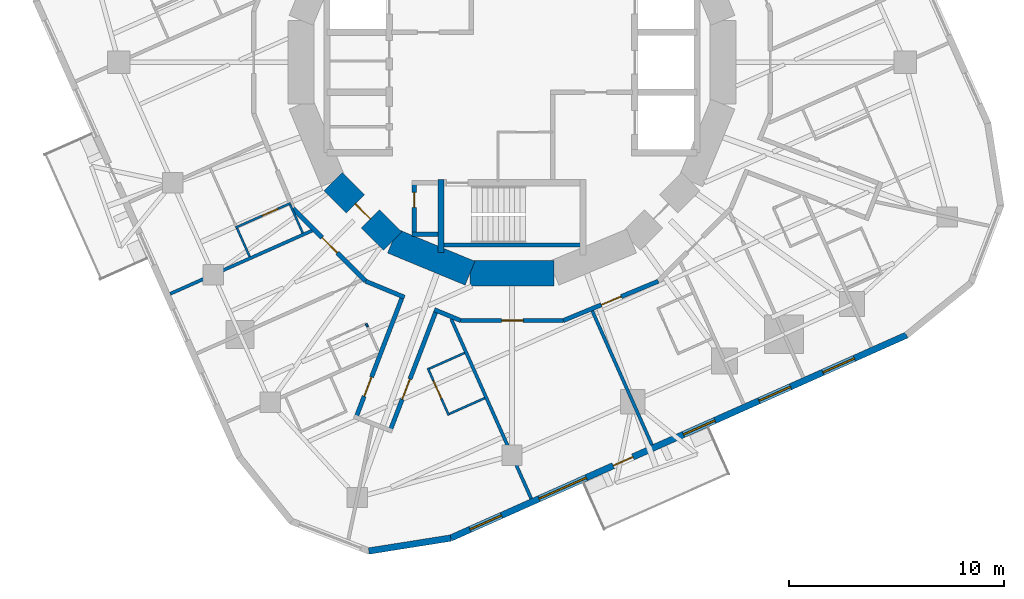
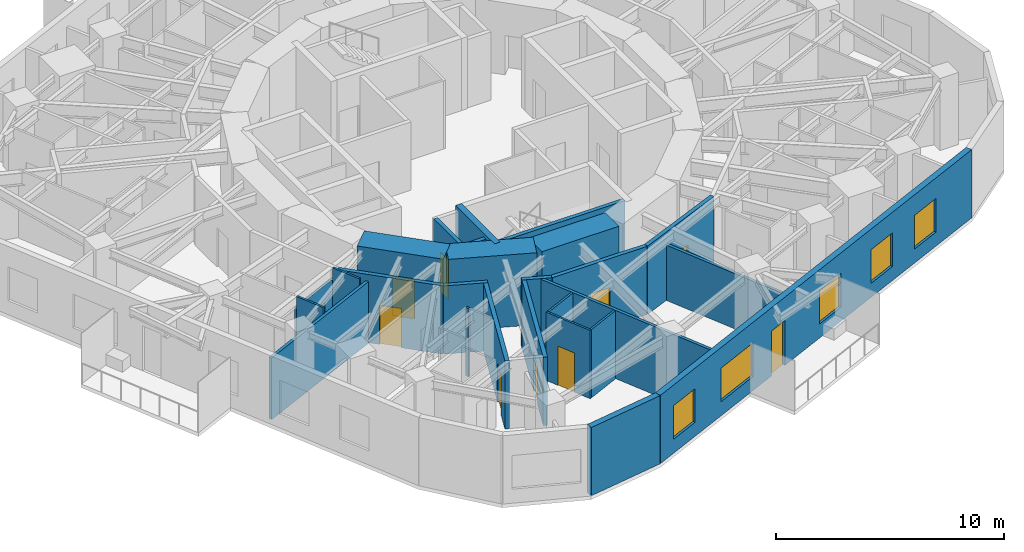
# One storey, part 5 of 12: 26 walls, 10 doors, 5 windows, 15 openings.
"""IFC4 building model written with IfcOpenShell, lengths in metres."""

from ifc_helpers import new_model, si_unit, direction, frame, frame_2d, origin, place, context, subcontext, project, spatial, rectangle, extrude, material, layer, layer_set, type_object, element, fill, save


model = new_model("IFC4")

# Units and contexts
model_context = context("Model", 3, precision=1e-05, world=origin(), true_north=direction((0.0, 1.0)))
body_context = subcontext(model_context, "Body", "Model", "MODEL_VIEW")
ifc_project = project(units=[si_unit("LENGTHUNIT", "METRE"), si_unit("AREAUNIT", "SQUARE_METRE"), si_unit("VOLUMEUNIT", "CUBIC_METRE"), si_unit("PLANEANGLEUNIT", "RADIAN"), si_unit("MASSUNIT", "GRAM", prefix="KILO")], contexts=[model_context])

# Site, building, storey
site_placement = place(None, origin())
site = spatial("IfcSite", under=ifc_project, at=site_placement, CompositionType="ELEMENT")
building_placement = place(site_placement, origin())
building = spatial("IfcBuilding", under=site, at=building_placement, Name="Nakasero Lantern House", CompositionType="ELEMENT")
storey_placement = place(building_placement, frame((0.0, 0.0, 190.14990234375)))
storey = spatial("IfcBuildingStorey", under=building, at=storey_placement, Name="L46", CompositionType="ELEMENT", Elevation=190.14990234375)

# Wall
ifc_material_1 = material(Name="Concrete C50/60", Category="concrete")
ifc_layer_1 = layer(ifc_material_1, 0.300048828125)
ifc_layer_set_1 = layer_set([ifc_layer_1], Name="Core inner wall 300")
wall_type_1 = type_object("IfcWallType", Name="Core inner wall 300", PredefinedType="SHEAR", material=ifc_layer_set_1)
wall_1_placement = place(storey_placement, frame((-3.300048828125, -5.449951171875, 0.0), z_axis=(0.0, 0.0, 1.0), x_axis=(0.0, -1.0, 0.0)))
element("IfcWall", 1, at=wall_1_placement, inside=storey, type_object=wall_type_1, Name="Core inner wall L46 SSW", PredefinedType="SHEAR", context=body_context, shape_type="SweptSolid", body=[
    extrude(rectangle(XDim=3.400146484375, YDim=0.300048828125, at=frame_2d((1.7001953125, 0.0))), origin(), (0.0, 0.0, 1.0), 3.85009765625),
])

# Wall, opening, door
ifc_material_2 = material(Name="Concrete C50/60", Category="concrete")
ifc_layer_2 = layer(ifc_material_2, 1.199951171875)
ifc_layer_set_2 = layer_set([ifc_layer_2], Name="Core wall 1200")
wall_type_2 = type_object("IfcWallType", Name="Core wall 1200", PredefinedType="SHEAR", material=ifc_layer_set_2)
wall_2_placement = place(storey_placement, frame((-8.314697265625, -5.5556640625, 0.0), z_axis=(0.0, 0.0, 1.0), x_axis=(0.707106781187, -0.707106781187, 0.0)))
wall_2 = element("IfcWall", 2, at=wall_2_placement, inside=storey, type_object=wall_type_2, Name="Core wall L46 facet 10", PredefinedType="SHEAR", context=body_context, shape_type="SweptSolid", body=[
    extrude(rectangle(XDim=3.90185546875, YDim=1.199951171875, at=frame_2d((1.950927734375, 0.0))), origin(), (0.0, 0.0, 1.0), 3.85009765625),
])
opening_1_placement = place(wall_2_placement, frame((1.450927734375, 0.0, 0.0)))
opening_1 = element("IfcOpeningElement", 3, at=opening_1_placement, cuts=wall_2, Name="Opening D05", PredefinedType="OPENING", context=body_context, shape_type="SweptSolid", body=[
    extrude(rectangle(XDim=1.0, YDim=2.10009765625, at=frame_2d((0.5, 1.050048828125))), frame((0.0, 0.619873046875, 0.0), z_axis=(0.0, -1.0, 0.0), x_axis=(1.0, 0.0, 0.0)), (0.0, 0.0, 1.0), 1.239990234375),
])
ifc_material_3 = material(Name="Timber C24", Category="wood")
door_type_1 = type_object("IfcDoorType", Name="Core door FD60S 1000", OperationType="SINGLE_SWING_LEFT", PredefinedType="DOOR", material=ifc_material_3)
door_1_placement = place(opening_1_placement, origin())
door_1 = element("IfcDoor", 4, at=door_1_placement, inside=storey, type_object=door_type_1, Name="Door L46 D-CORE10", OperationType="SINGLE_SWING_LEFT", OverallHeight=2.10009765625, OverallWidth=1.0, PredefinedType="DOOR", context=body_context, shape_type="SweptSolid", body=[
    extrude(rectangle(XDim=1.0, YDim=2.10009765625, at=frame_2d((0.5, 1.050048828125))), frame((0.0, 0.02490234375, 0.0), z_axis=(0.0, -1.0, 0.0), x_axis=(1.0, 0.0, 0.0)), (0.0, 0.0, 1.0), 0.050048828125),
])
fill(opening_1, door_1)

# Walls
for number, where, z_axis, x_axis, name in (
    (5, (-5.5556640625, -8.314697265625, 0.0), (0.0, 0.0, 1.0), (0.923876507187, -0.382690736062, 0.0), "Core wall L46 facet 11"),
    (6, (-1.950927734375, -9.807861328125, 0.0), (0.0, 0.0, 1.0), (1.0, 0.0, 0.0), "Core wall L46 facet 12"),
):
    element("IfcWall", number, at=place(storey_placement, frame(where, z_axis=z_axis, x_axis=x_axis)), inside=storey, type_object=wall_type_2, Name=name, PredefinedType="SHEAR", context=body_context, shape_type="SweptSolid", body=[
        extrude(rectangle(XDim=3.90185546875, YDim=1.199951171875, at=frame_2d((1.950927734375, 0.0))), origin(), (0.0, 0.0, 1.0), 3.85009765625),
    ])

# Wall, opening, door
ifc_material_4 = material(Name="Blockwork", Category="masonry")
ifc_layer_3 = layer(ifc_material_4, 0.199951171875)
ifc_layer_set_3 = layer_set([ifc_layer_3], Name="Corridor wall 200")
wall_type_3 = type_object("IfcWallType", Name="Corridor wall 200", PredefinedType="PARTITIONING", material=ifc_layer_set_3)
wall_3_placement = place(storey_placement, frame((6.802001953125, -10.1796875, 0.0), z_axis=(0.0, 0.0, 1.0), x_axis=(-0.923882292998, -0.382676767893, 0.0)))
wall_3 = element("IfcWall", 7, at=wall_3_placement, inside=storey, type_object=wall_type_3, Name="Corridor wall L46 RC03a", PredefinedType="PARTITIONING", context=body_context, shape_type="SweptSolid", body=[
    extrude(rectangle(XDim=4.777099609375, YDim=0.199951171875, at=frame_2d((2.388671875, 0.0))), origin(), (0.0, 0.0, 1.0), 3.650146484375),
])
opening_2_placement = place(wall_3_placement, frame((1.8701171875, 0.0, 0.0)))
opening_2 = element("IfcOpeningElement", 8, at=opening_2_placement, cuts=wall_3, Name="Opening D07", PredefinedType="OPENING", context=body_context, shape_type="SweptSolid", body=[
    extrude(rectangle(XDim=1.0, YDim=2.10009765625, at=frame_2d((0.5, 1.050048828125))), frame((0.0, 0.119873046875, 0.0), z_axis=(0.0, -1.0, 0.0), x_axis=(1.0, 0.0, 0.0)), (0.0, 0.0, 1.0), 0.239990234375),
])
ifc_material_5 = material(Name="Timber C24", Category="wood")
door_type_2 = type_object("IfcDoorType", Name="Room door FD30S 1000", OperationType="SINGLE_SWING_LEFT", PredefinedType="DOOR", material=ifc_material_5)
door_2_placement = place(opening_2_placement, origin())
door_2 = element("IfcDoor", 9, at=door_2_placement, inside=storey, type_object=door_type_2, Name="Door L46 D3-03", OperationType="SINGLE_SWING_LEFT", OverallHeight=2.10009765625, OverallWidth=1.0, PredefinedType="DOOR", context=body_context, shape_type="SweptSolid", body=[
    extrude(rectangle(XDim=1.0, YDim=2.10009765625, at=frame_2d((0.5, 1.050048828125))), frame((0.0, 0.02490234375, 0.0), z_axis=(0.0, -1.0, 0.0), x_axis=(1.0, 0.0, 0.0)), (0.0, 0.0, 1.0), 0.050048828125),
])
fill(opening_2, door_2)

wall_4_placement = place(storey_placement, frame((2.388427734375, -12.0078125, 0.0), z_axis=(0.0, 0.0, 1.0), x_axis=(-1.0, 0.0, 0.0)))
wall_4 = element("IfcWall", 10, at=wall_4_placement, inside=storey, type_object=wall_type_3, Name="Corridor wall L46 RC04a", PredefinedType="PARTITIONING", context=body_context, shape_type="SweptSolid", body=[
    extrude(rectangle(XDim=4.77685546875, YDim=0.199951171875, at=frame_2d((2.388427734375, 0.0))), origin(), (0.0, 0.0, 1.0), 3.650146484375),
])
opening_3_placement = place(wall_4_placement, frame((1.8701171875, 0.0, 0.0)))
opening_3 = element("IfcOpeningElement", 11, at=opening_3_placement, cuts=wall_4, Name="Opening D03", PredefinedType="OPENING", context=body_context, shape_type="SweptSolid", body=[
    extrude(rectangle(XDim=1.0, YDim=2.10009765625, at=frame_2d((0.5, 1.050048828125))), frame((0.0, 0.119873046875, 0.0), z_axis=(0.0, -1.0, 0.0), x_axis=(1.0, 0.0, 0.0)), (0.0, 0.0, 1.0), 0.239990234375),
])
ifc_material_6 = material(Name="Timber C24", Category="wood")
door_type_3 = type_object("IfcDoorType", Name="Lounge door FD30S 1000", OperationType="SINGLE_SWING_LEFT", PredefinedType="DOOR", material=ifc_material_6)
door_3_placement = place(opening_3_placement, origin())
door_3 = element("IfcDoor", 12, at=door_3_placement, inside=storey, type_object=door_type_3, Name="Door L46 DK3", OperationType="SINGLE_SWING_LEFT", OverallHeight=2.10009765625, OverallWidth=1.0, PredefinedType="DOOR", context=body_context, shape_type="SweptSolid", body=[
    extrude(rectangle(XDim=1.0, YDim=2.10009765625, at=frame_2d((0.5, 1.050048828125))), frame((0.0, 0.02490234375, 0.0), z_axis=(0.0, -1.0, 0.0), x_axis=(1.0, 0.0, 0.0)), (0.0, 0.0, 1.0), 0.050048828125),
])
fill(opening_3, door_3)

# Walls
wall_5_placement = place(storey_placement, frame((-2.388427734375, -12.0078125, 0.0), z_axis=(0.0, 0.0, 1.0), x_axis=(-0.923893220228, 0.382650385623, 0.0)))
element("IfcWall", 13, at=wall_5_placement, inside=storey, type_object=wall_type_3, Name="Corridor wall L46 RC05a", PredefinedType="PARTITIONING", context=body_context, shape_type="SweptSolid", body=[
    extrude(rectangle(XDim=1.323974609375, YDim=0.199951171875, at=frame_2d((0.662109375, 0.0))), origin(), (0.0, 0.0, 1.0), 3.650146484375),
])
wall_6_placement = place(storey_placement, frame((-4.997802734375, -10.927001953125, 0.0), z_axis=(0.0, 0.0, 1.0), x_axis=(-0.923881222106, 0.382679353297, 0.0)))
element("IfcWall", 14, at=wall_6_placement, inside=storey, type_object=wall_type_3, Name="Corridor wall L46 RC05b", PredefinedType="PARTITIONING", context=body_context, shape_type="SweptSolid", body=[
    extrude(rectangle(XDim=1.952880859375, YDim=0.199951171875, at=frame_2d((0.9765625, 0.0))), origin(), (0.0, 0.0, 1.0), 3.650146484375),
])

# Wall, opening, door
wall_7_placement = place(storey_placement, frame((-6.802001953125, -10.1796875, 0.0), z_axis=(0.0, 0.0, 1.0), x_axis=(-0.707106781187, 0.707106781187, 0.0)))
wall_7 = element("IfcWall", 15, at=wall_7_placement, inside=storey, type_object=wall_type_3, Name="Corridor wall L46 RC06a", PredefinedType="PARTITIONING", context=body_context, shape_type="SweptSolid", body=[
    extrude(rectangle(XDim=4.77685546875, YDim=0.199951171875, at=frame_2d((2.388427734375, 0.0))), origin(), (0.0, 0.0, 1.0), 3.650146484375),
])
opening_4_placement = place(wall_7_placement, frame((1.8701171875, 0.0, 0.0)))
opening_4 = element("IfcOpeningElement", 16, at=opening_4_placement, cuts=wall_7, Name="Opening D14", PredefinedType="OPENING", context=body_context, shape_type="SweptSolid", body=[
    extrude(rectangle(XDim=1.0, YDim=2.10009765625, at=frame_2d((0.5, 1.050048828125))), frame((0.0, 0.119873046875, 0.0), z_axis=(0.0, -1.0, 0.0), x_axis=(1.0, 0.0, 0.0)), (0.0, 0.0, 1.0), 0.239990234375),
])
ifc_material_7 = material(Name="Timber C24", Category="wood")
door_type_4 = type_object("IfcDoorType", Name="Cluster entrance door FD30S 1000", OperationType="SINGLE_SWING_LEFT", PredefinedType="DOOR", material=ifc_material_7)
door_4_placement = place(opening_4_placement, origin())
door_4 = element("IfcDoor", 17, at=door_4_placement, inside=storey, type_object=door_type_4, Name="Door L46 D2-04", OperationType="SINGLE_SWING_LEFT", OverallHeight=2.10009765625, OverallWidth=1.0, PredefinedType="DOOR", context=body_context, shape_type="SweptSolid", body=[
    extrude(rectangle(XDim=1.0, YDim=2.10009765625, at=frame_2d((0.5, 1.050048828125))), frame((0.0, 0.02490234375, 0.0), z_axis=(0.0, -1.0, 0.0), x_axis=(1.0, 0.0, 0.0)), (0.0, 0.0, 1.0), 0.050048828125),
])
fill(opening_4, door_4)

wall_8_placement = place(storey_placement, frame((-5.09033203125, -10.888671875, 0.0), z_axis=(0.0, 0.0, 1.0), x_axis=(-0.35835059057, -0.933587089798, 0.0)))
wall_8 = element("IfcWall", 18, at=wall_8_placement, inside=storey, type_object=wall_type_3, Name="Corridor wall L46 SP2a", PredefinedType="PARTITIONING", context=body_context, shape_type="SweptSolid", body=[
    extrude(rectangle(XDim=6.117919921875, YDim=0.199951171875, at=frame_2d((3.05908203125, 0.0))), origin(), (0.0, 0.0, 1.0), 3.650146484375),
])
opening_5_placement = place(wall_8_placement, frame((4.02001953125, 0.0, 0.0)))
opening_5 = element("IfcOpeningElement", 19, at=opening_5_placement, cuts=wall_8, Name="Opening D01", PredefinedType="OPENING", context=body_context, shape_type="SweptSolid", body=[
    extrude(rectangle(XDim=0.949951171875, YDim=2.10009765625, at=frame_2d((0.47509765625, 1.050048828125))), frame((0.0, 0.119873046875, 0.0), z_axis=(0.0, -1.0, 0.0), x_axis=(1.0, 0.0, 0.0)), (0.0, 0.0, 1.0), 0.239990234375),
])
ifc_material_8 = material(Name="Timber C24", Category="wood")
door_type_5 = type_object("IfcDoorType", Name="Bedroom door FD30S 950", OperationType="SINGLE_SWING_LEFT", PredefinedType="DOOR", material=ifc_material_8)
door_5_placement = place(opening_5_placement, origin())
door_5 = element("IfcDoor", 20, at=door_5_placement, inside=storey, type_object=door_type_5, Name="Door L46 D2-06", OperationType="SINGLE_SWING_RIGHT", OverallHeight=2.10009765625, OverallWidth=0.949951171875, PredefinedType="DOOR", context=body_context, shape_type="SweptSolid", body=[
    extrude(rectangle(XDim=0.949951171875, YDim=2.10009765625, at=frame_2d((0.47509765625, 1.050048828125))), frame((0.0, 0.02490234375, 0.0), z_axis=(0.0, -1.0, 0.0), x_axis=(1.0, 0.0, 0.0)), (0.0, 0.0, 1.0), 0.050048828125),
])
fill(opening_5, door_5)

wall_9_placement = place(storey_placement, frame((-3.51904296875, -11.53955078125, 0.0), z_axis=(0.0, 0.0, 1.0), x_axis=(-0.358394497993, -0.93357023507, 0.0)))
wall_9 = element("IfcWall", 21, at=wall_9_placement, inside=storey, type_object=wall_type_3, Name="Corridor wall L46 SP2b", PredefinedType="PARTITIONING", context=body_context, shape_type="SweptSolid", body=[
    extrude(rectangle(XDim=6.07373046875, YDim=0.199951171875, at=frame_2d((3.036865234375, 0.0))), origin(), (0.0, 0.0, 1.0), 3.650146484375),
])
opening_6_placement = place(wall_9_placement, frame((3.419921875, 0.0, 0.0)))
opening_6 = element("IfcOpeningElement", 22, at=opening_6_placement, cuts=wall_9, Name="Opening D07", PredefinedType="OPENING", context=body_context, shape_type="SweptSolid", body=[
    extrude(rectangle(XDim=1.0, YDim=2.10009765625, at=frame_2d((0.5, 1.050048828125))), frame((0.0, 0.119873046875, 0.0), z_axis=(0.0, -1.0, 0.0), x_axis=(1.0, 0.0, 0.0)), (0.0, 0.0, 1.0), 0.239990234375),
])
door_6_placement = place(opening_6_placement, origin())
door_6 = element("IfcDoor", 23, at=door_6_placement, inside=storey, type_object=door_type_2, Name="Door L46 D3-00", OperationType="SINGLE_SWING_RIGHT", OverallHeight=2.10009765625, OverallWidth=1.0, PredefinedType="DOOR", context=body_context, shape_type="SweptSolid", body=[
    extrude(rectangle(XDim=1.0, YDim=2.10009765625, at=frame_2d((0.5, 1.050048828125))), frame((0.0, 0.02490234375, 0.0), z_axis=(0.0, -1.0, 0.0), x_axis=(1.0, 0.0, 0.0)), (0.0, 0.0, 1.0), 0.050048828125),
])
fill(opening_6, door_6)

ifc_material_9 = material(Name="Blockwork", Category="masonry")
ifc_layer_4 = layer(ifc_material_9, 0.10009765625)
ifc_layer_set_4 = layer_set([ifc_layer_4], Name="En-suite wall 100")
wall_type_4 = type_object("IfcWallType", Name="En-suite wall 100", PredefinedType="PARTITIONING", material=ifc_layer_set_4)
wall_10_placement = place(storey_placement, frame((-10.29248046875, -6.550048828125, 0.0), z_axis=(0.0, 0.0, 1.0), x_axis=(-0.913534471978, -0.406761316386, 0.0)))
wall_10 = element("IfcWall", 24, at=wall_10_placement, inside=storey, type_object=wall_type_4, Name="En-suite wall L46 ES2-03", PredefinedType="PARTITIONING", context=body_context, shape_type="SweptSolid", body=[
    extrude(rectangle(XDim=2.800048828125, YDim=0.10009765625, at=frame_2d((1.39990234375, 0.0))), origin(), (0.0, 0.0, 1.0), 3.037841796875),
])
opening_7_placement = place(wall_10_placement, frame((0.64990234375, 0.0, 0.0)))
opening_7 = element("IfcOpeningElement", 25, at=opening_7_placement, cuts=wall_10, Name="Opening D02", PredefinedType="OPENING", context=body_context, shape_type="SweptSolid", body=[
    extrude(rectangle(XDim=0.800048828125, YDim=2.10009765625, at=frame_2d((0.39990234375, 1.050048828125))), frame((0.0, 0.070068359375, 0.0), z_axis=(0.0, -1.0, 0.0), x_axis=(1.0, 0.0, 0.0)), (0.0, 0.0, 1.0), 0.14013671875),
])
ifc_material_10 = material(Name="Timber C24", Category="wood")
door_type_6 = type_object("IfcDoorType", Name="En-suite door 800", OperationType="SINGLE_SWING_RIGHT", PredefinedType="DOOR", material=ifc_material_10)
door_7_placement = place(opening_7_placement, origin())
door_7 = element("IfcDoor", 26, at=door_7_placement, inside=storey, type_object=door_type_6, Name="Door L46 DE2-03", OperationType="SINGLE_SWING_LEFT", OverallHeight=2.10009765625, OverallWidth=0.800048828125, PredefinedType="DOOR", context=body_context, shape_type="SweptSolid", body=[
    extrude(rectangle(XDim=0.800048828125, YDim=2.10009765625, at=frame_2d((0.39990234375, 1.050048828125))), frame((0.0, 0.02490234375, 0.0), z_axis=(0.0, -1.0, 0.0), x_axis=(1.0, 0.0, 0.0)), (0.0, 0.0, 1.0), 0.050048828125),
])
fill(opening_7, door_7)

# Walls
wall_11_placement = place(storey_placement, frame((-12.784423828125, -7.71435546875, 0.0), z_axis=(0.0, 0.0, 1.0), x_axis=(0.40682579145, -0.913505761017, 0.0)))
element("IfcWall", 27, at=wall_11_placement, inside=storey, type_object=wall_type_4, Name="En-suite wall L46 EE2-03", PredefinedType="PARTITIONING", context=body_context, shape_type="SweptSolid", body=[
    extrude(rectangle(XDim=1.449951171875, YDim=0.10009765625, at=frame_2d((0.72509765625, 0.0))), origin(), (0.0, 0.0, 1.0), 3.650146484375),
])
wall_12_placement = place(storey_placement, frame((-10.31787109375, -6.615966796875, 0.0), z_axis=(0.0, 0.0, 1.0), x_axis=(0.406763220732, -0.913533624044, 0.0)))
element("IfcWall", 28, at=wall_12_placement, inside=storey, type_object=wall_type_4, Name="En-suite wall L46 EI2-03", PredefinedType="PARTITIONING", context=body_context, shape_type="SweptSolid", body=[
    extrude(rectangle(XDim=1.4501953125, YDim=0.10009765625, at=frame_2d((0.72509765625, 0.0))), origin(), (0.0, 0.0, 1.0), 3.650146484375),
])

# Wall, opening, door
wall_13_placement = place(storey_placement, frame((-3.914306640625, -14.2216796875, 0.0), z_axis=(0.0, 0.0, 1.0), x_axis=(0.406723602621, -0.913551263516, 0.0)))
wall_13 = element("IfcWall", 29, at=wall_13_placement, inside=storey, type_object=wall_type_4, Name="En-suite wall L46 ES3-00", PredefinedType="PARTITIONING", context=body_context, shape_type="SweptSolid", body=[
    extrude(rectangle(XDim=2.39990234375, YDim=0.10009765625, at=frame_2d((1.199951171875, 0.0))), origin(), (0.0, 0.0, 1.0), 3.650146484375),
])
opening_8_placement = place(wall_13_placement, frame((0.64990234375, 0.0, 0.0)))
opening_8 = element("IfcOpeningElement", 30, at=opening_8_placement, cuts=wall_13, Name="Opening D16", PredefinedType="OPENING", context=body_context, shape_type="SweptSolid", body=[
    extrude(rectangle(XDim=0.89990234375, YDim=2.10009765625, at=frame_2d((0.449951171875, 1.050048828125))), frame((0.0, 0.070068359375, 0.0), z_axis=(0.0, -1.0, 0.0), x_axis=(1.0, 0.0, 0.0)), (0.0, 0.0, 1.0), 0.14013671875),
])
ifc_material_11 = material(Name="Timber C24", Category="wood")
door_type_7 = type_object("IfcDoorType", Name="Accessible WC door 900", OperationType="SINGLE_SWING_RIGHT", PredefinedType="DOOR", material=ifc_material_11)
door_8_placement = place(opening_8_placement, origin())
door_8 = element("IfcDoor", 31, at=door_8_placement, inside=storey, type_object=door_type_7, Name="Door L46 DE3-00", OperationType="SINGLE_SWING_LEFT", OverallHeight=2.10009765625, OverallWidth=0.89990234375, PredefinedType="DOOR", context=body_context, shape_type="SweptSolid", body=[
    extrude(rectangle(XDim=0.89990234375, YDim=2.10009765625, at=frame_2d((0.449951171875, 1.050048828125))), frame((0.0, 0.02490234375, 0.0), z_axis=(0.0, -1.0, 0.0), x_axis=(1.0, 0.0, 0.0)), (0.0, 0.0, 1.0), 0.050048828125),
])
fill(opening_8, door_8)

# Walls
wall_14_placement = place(storey_placement, frame((-2.912841796875, -16.34814453125, 0.0), z_axis=(0.0, 0.0, 1.0), x_axis=(0.913548502595, 0.406729803932, 0.0)))
element("IfcWall", 32, at=wall_14_placement, inside=storey, type_object=wall_type_4, Name="En-suite wall L46 EE3-00", PredefinedType="PARTITIONING", context=body_context, shape_type="SweptSolid", body=[
    extrude(rectangle(XDim=1.800048828125, YDim=0.10009765625, at=frame_2d((0.89990234375, 0.0))), origin(), (0.0, 0.0, 1.0), 3.650146484375),
])
wall_15_placement = place(storey_placement, frame((-3.84814453125, -14.246826171875, 0.0), z_axis=(0.0, 0.0, 1.0), x_axis=(0.913576462288, 0.406666998358, 0.0)))
element("IfcWall", 33, at=wall_15_placement, inside=storey, type_object=wall_type_4, Name="En-suite wall L46 EI3-00", PredefinedType="PARTITIONING", context=body_context, shape_type="SweptSolid", body=[
    extrude(rectangle(XDim=1.7998046875, YDim=0.10009765625, at=frame_2d((0.89990234375, 0.0))), origin(), (0.0, 0.0, 1.0), 3.650146484375),
])
wall_16_placement = place(storey_placement, frame((-6.78125, -12.153564453125, 0.0), z_axis=(0.0, 0.0, 1.0), x_axis=(0.407696311466, -0.913117581485, 0.0)))
element("IfcWall", 34, at=wall_16_placement, inside=storey, type_object=wall_type_4, Name="En-suite wall L46 ES2-05R0", PredefinedType="PARTITIONING", context=body_context, shape_type="SweptSolid", body=[
    extrude(rectangle(XDim=0.159912109375, YDim=0.10009765625, at=frame_2d((0.080078125, 0.0))), origin(), (0.0, 0.0, 1.0), 3.650146484375),
])
ifc_material_12 = material(Name="Aluminium rainscreen on blockwork", Category="masonry")
ifc_layer_5 = layer(ifc_material_12, 0.300048828125)
ifc_layer_set_5 = layer_set([ifc_layer_5], Name="Facade wall 300")
wall_type_5 = type_object("IfcWallType", Name="Facade wall 300", PredefinedType="SOLIDWALL", material=ifc_layer_set_5)
wall_17_placement = place(storey_placement, frame((-6.65771484375, -22.724365234375, 0.0), z_axis=(0.0, 0.0, 1.0), x_axis=(0.987687906802, 0.156437203878, 0.0)))
element("IfcWall", 35, at=wall_17_placement, inside=storey, type_object=wall_type_5, Name="Facade wall L46 FW2C3", PredefinedType="SOLIDWALL", context=body_context, shape_type="SweptSolid", body=[
    extrude(rectangle(XDim=3.856201171875, YDim=0.300048828125, at=frame_2d((1.92822265625, 0.0))), origin(), (0.0, 0.0, 1.0), 3.650146484375),
])

# Wall, openings, door, windows
wall_18_placement = place(storey_placement, frame((-2.848876953125, -22.12109375, 0.0), z_axis=(0.0, 0.0, 1.0), x_axis=(0.913546210851, 0.406734951338, 0.0)))
wall_18 = element("IfcWall", 36, at=wall_18_placement, inside=storey, type_object=wall_type_5, Name="Facade wall L46 FW3S", PredefinedType="SOLIDWALL", context=body_context, shape_type="SweptSolid", body=[
    extrude(rectangle(XDim=23.199951171875, YDim=0.300048828125, at=frame_2d((11.60009765625, 0.0))), origin(), (0.0, 0.0, 1.0), 3.650146484375),
])
opening_9_placement = place(wall_18_placement, frame((0.982421875, 0.0, 0.75)))
opening_9 = element("IfcOpeningElement", 37, at=opening_9_placement, cuts=wall_18, Name="Opening W01", PredefinedType="OPENING", context=body_context, shape_type="SweptSolid", body=[
    extrude(rectangle(XDim=1.60009765625, YDim=1.800048828125, at=frame_2d((0.800048828125, 0.89990234375))), frame((0.0, 0.169921875, 0.0), z_axis=(0.0, -1.0, 0.0), x_axis=(1.0, 0.0, 0.0)), (0.0, 0.0, 1.0), 0.340087890625),
])
opening_10_placement = place(wall_18_placement, frame((11.83984375, 0.0, 0.75)))
opening_10 = element("IfcOpeningElement", 38, at=opening_10_placement, cuts=wall_18, Name="Opening W01", PredefinedType="OPENING", context=body_context, shape_type="SweptSolid", body=[
    extrude(rectangle(XDim=1.60009765625, YDim=1.800048828125, at=frame_2d((0.800048828125, 0.89990234375))), frame((0.0, 0.169921875, 0.0), z_axis=(0.0, -1.0, 0.0), x_axis=(1.0, 0.0, 0.0)), (0.0, 0.0, 1.0), 0.340087890625),
])
opening_11_placement = place(wall_18_placement, frame((15.69140625, 0.0, 0.75)))
opening_11 = element("IfcOpeningElement", 39, at=opening_11_placement, cuts=wall_18, Name="Opening W01", PredefinedType="OPENING", context=body_context, shape_type="SweptSolid", body=[
    extrude(rectangle(XDim=1.60009765625, YDim=1.800048828125, at=frame_2d((0.800048828125, 0.89990234375))), frame((0.0, 0.169921875, 0.0), z_axis=(0.0, -1.0, 0.0), x_axis=(1.0, 0.0, 0.0)), (0.0, 0.0, 1.0), 0.340087890625),
])
opening_12_placement = place(wall_18_placement, frame((18.940185546875, 0.0, 0.75)))
opening_12 = element("IfcOpeningElement", 40, at=opening_12_placement, cuts=wall_18, Name="Opening W01", PredefinedType="OPENING", context=body_context, shape_type="SweptSolid", body=[
    extrude(rectangle(XDim=1.60009765625, YDim=1.800048828125, at=frame_2d((0.800048828125, 0.89990234375))), frame((0.0, 0.169921875, 0.0), z_axis=(0.0, -1.0, 0.0), x_axis=(1.0, 0.0, 0.0)), (0.0, 0.0, 1.0), 0.340087890625),
])
opening_13_placement = place(wall_18_placement, frame((4.500244140625, 0.0, 0.75)))
opening_13 = element("IfcOpeningElement", 41, at=opening_13_placement, cuts=wall_18, Name="Opening W03", PredefinedType="OPENING", context=body_context, shape_type="SweptSolid", body=[
    extrude(rectangle(XDim=2.39990234375, YDim=1.800048828125, at=frame_2d((1.199951171875, 0.89990234375))), frame((0.0, 0.169921875, 0.0), z_axis=(0.0, -1.0, 0.0), x_axis=(1.0, 0.0, 0.0)), (0.0, 0.0, 1.0), 0.340087890625),
])
opening_14_placement = place(wall_18_placement, frame((8.271484375, 0.0, 0.0)))
opening_14 = element("IfcOpeningElement", 42, at=opening_14_placement, cuts=wall_18, Name="Opening D04", PredefinedType="OPENING", context=body_context, shape_type="SweptSolid", body=[
    extrude(rectangle(XDim=1.0, YDim=2.39990234375, at=frame_2d((0.5, 1.199951171875))), frame((0.0, 0.169921875, 0.0), z_axis=(0.0, -1.0, 0.0), x_axis=(1.0, 0.0, 0.0)), (0.0, 0.0, 1.0), 0.340087890625),
])
ifc_material_13 = material(Name="Aluminium 6063-T6 and glass", Category="aluminium")
door_type_8 = type_object("IfcDoorType", Name="Balcony door 1000x2400", OperationType="SINGLE_SWING_RIGHT", PredefinedType="DOOR", material=ifc_material_13)
door_9_placement = place(opening_14_placement, origin())
door_9 = element("IfcDoor", 43, at=door_9_placement, inside=storey, type_object=door_type_8, Name="Balcony door L46 DB3", OperationType="SINGLE_SWING_RIGHT", OverallHeight=2.39990234375, OverallWidth=1.0, PredefinedType="DOOR", context=body_context, shape_type="SweptSolid", body=[
    extrude(rectangle(XDim=1.0, YDim=2.39990234375, at=frame_2d((0.5, 1.199951171875))), frame((0.0, 0.02490234375, 0.0), z_axis=(0.0, -1.0, 0.0), x_axis=(1.0, 0.0, 0.0)), (0.0, 0.0, 1.0), 0.050048828125),
])
fill(opening_14, door_9)
ifc_material_14 = material(Name="Aluminium 6063-T6 and glass", Category="aluminium")
window_type_1 = type_object("IfcWindowType", Name="Bedroom window 1600x1800", PartitioningType="SINGLE_PANEL", PredefinedType="WINDOW", material=ifc_material_14)
window_1_placement = place(opening_9_placement, origin())
window_1 = element("IfcWindow", 44, at=window_1_placement, inside=storey, type_object=window_type_1, Name="Window L46 WN3-00", OverallHeight=1.800048828125, OverallWidth=1.60009765625, PartitioningType="SINGLE_PANEL", PredefinedType="WINDOW", context=body_context, shape_type="SweptSolid", body=[
    extrude(rectangle(XDim=1.60009765625, YDim=1.800048828125, at=frame_2d((0.800048828125, 0.89990234375))), frame((0.0, 0.030029296875, 0.0), z_axis=(0.0, -1.0, 0.0), x_axis=(1.0, 0.0, 0.0)), (0.0, 0.0, 1.0), 0.06005859375),
])
fill(opening_9, window_1)
window_2_placement = place(opening_10_placement, origin())
window_2 = element("IfcWindow", 45, at=window_2_placement, inside=storey, type_object=window_type_1, Name="Window L46 WN3-03", OverallHeight=1.800048828125, OverallWidth=1.60009765625, PartitioningType="SINGLE_PANEL", PredefinedType="WINDOW", context=body_context, shape_type="SweptSolid", body=[
    extrude(rectangle(XDim=1.60009765625, YDim=1.800048828125, at=frame_2d((0.800048828125, 0.89990234375))), frame((0.0, 0.030029296875, 0.0), z_axis=(0.0, -1.0, 0.0), x_axis=(1.0, 0.0, 0.0)), (0.0, 0.0, 1.0), 0.06005859375),
])
fill(opening_10, window_2)
window_3_placement = place(opening_11_placement, origin())
window_3 = element("IfcWindow", 46, at=window_3_placement, inside=storey, type_object=window_type_1, Name="Window L46 WN3-04", OverallHeight=1.800048828125, OverallWidth=1.60009765625, PartitioningType="SINGLE_PANEL", PredefinedType="WINDOW", context=body_context, shape_type="SweptSolid", body=[
    extrude(rectangle(XDim=1.60009765625, YDim=1.800048828125, at=frame_2d((0.800048828125, 0.89990234375))), frame((0.0, 0.030029296875, 0.0), z_axis=(0.0, -1.0, 0.0), x_axis=(1.0, 0.0, 0.0)), (0.0, 0.0, 1.0), 0.06005859375),
])
fill(opening_11, window_3)
window_4_placement = place(opening_12_placement, origin())
window_4 = element("IfcWindow", 47, at=window_4_placement, inside=storey, type_object=window_type_1, Name="Window L46 WN3-05", OverallHeight=1.800048828125, OverallWidth=1.60009765625, PartitioningType="SINGLE_PANEL", PredefinedType="WINDOW", context=body_context, shape_type="SweptSolid", body=[
    extrude(rectangle(XDim=1.60009765625, YDim=1.800048828125, at=frame_2d((0.800048828125, 0.89990234375))), frame((0.0, 0.030029296875, 0.0), z_axis=(0.0, -1.0, 0.0), x_axis=(1.0, 0.0, 0.0)), (0.0, 0.0, 1.0), 0.06005859375),
])
fill(opening_12, window_4)
ifc_material_15 = material(Name="Aluminium 6063-T6 and glass", Category="aluminium")
window_type_2 = type_object("IfcWindowType", Name="Lounge window 2400x1800", PartitioningType="SINGLE_PANEL", PredefinedType="WINDOW", material=ifc_material_15)
window_5_placement = place(opening_13_placement, origin())
window_5 = element("IfcWindow", 48, at=window_5_placement, inside=storey, type_object=window_type_2, Name="Window L46 WK3", OverallHeight=1.800048828125, OverallWidth=2.39990234375, PartitioningType="SINGLE_PANEL", PredefinedType="WINDOW", context=body_context, shape_type="SweptSolid", body=[
    extrude(rectangle(XDim=2.39990234375, YDim=1.800048828125, at=frame_2d((1.199951171875, 0.89990234375))), frame((0.0, 0.030029296875, 0.0), z_axis=(0.0, -1.0, 0.0), x_axis=(1.0, 0.0, 0.0)), (0.0, 0.0, 1.0), 0.06005859375),
])
fill(opening_13, window_5)

# Wall, opening, door
ifc_material_16 = material(Name="Blockwork", Category="masonry")
ifc_layer_6 = layer(ifc_material_16, 0.199951171875)
ifc_layer_set_6 = layer_set([ifc_layer_6], Name="Fire lobby wall 200")
wall_type_6 = type_object("IfcWallType", Name="Fire lobby wall 200", PredefinedType="PARTITIONING", material=ifc_layer_set_6)
wall_19_placement = place(storey_placement, frame((-4.550048828125, -5.60009765625, 0.0), z_axis=(0.0, 0.0, 1.0), x_axis=(0.0, -1.0, 0.0)))
wall_19 = element("IfcWall", 49, at=wall_19_placement, inside=storey, type_object=wall_type_6, Name="Fire lobby wall L46 W-RS2W", PredefinedType="PARTITIONING", context=body_context, shape_type="SweptSolid", body=[
    extrude(rectangle(XDim=2.39990234375, YDim=0.199951171875, at=frame_2d((1.199951171875, 0.0))), origin(), (0.0, 0.0, 1.0), 3.650146484375),
])
opening_15_placement = place(wall_19_placement, frame((0.449951171875, 0.0, 0.0)))
opening_15 = element("IfcOpeningElement", 50, at=opening_15_placement, cuts=wall_19, Name="Opening D06", PredefinedType="OPENING", context=body_context, shape_type="SweptSolid", body=[
    extrude(rectangle(XDim=0.699951171875, YDim=2.10009765625, at=frame_2d((0.35009765625, 1.050048828125))), frame((0.0, 0.119873046875, 0.0), z_axis=(0.0, -1.0, 0.0), x_axis=(1.0, 0.0, 0.0)), (0.0, 0.0, 1.0), 0.239990234375),
])
ifc_material_17 = material(Name="Steel S355", Category="steel")
door_type_9 = type_object("IfcDoorType", Name="Riser door FD60 700", OperationType="SINGLE_SWING_LEFT", PredefinedType="DOOR", material=ifc_material_17)
door_10_placement = place(opening_15_placement, origin())
door_10 = element("IfcDoor", 51, at=door_10_placement, inside=storey, type_object=door_type_9, Name="Door L46 D-RS2", OperationType="SINGLE_SWING_LEFT", OverallHeight=2.10009765625, OverallWidth=0.699951171875, PredefinedType="DOOR", context=body_context, shape_type="SweptSolid", body=[
    extrude(rectangle(XDim=0.699951171875, YDim=2.10009765625, at=frame_2d((0.35009765625, 1.050048828125))), frame((0.0, 0.02490234375, 0.0), z_axis=(0.0, -1.0, 0.0), x_axis=(1.0, 0.0, 0.0)), (0.0, 0.0, 1.0), 0.050048828125),
])
fill(opening_15, door_10)

# Walls
wall_20_placement = place(storey_placement, frame((-3.449951171875, -8.0, 0.0), z_axis=(0.0, 0.0, 1.0), x_axis=(-1.0, 0.0, 0.0)))
element("IfcWall", 52, at=wall_20_placement, inside=storey, type_object=wall_type_6, Name="Fire lobby wall L46 W-RS2S", PredefinedType="PARTITIONING", context=body_context, shape_type="SweptSolid", body=[
    extrude(rectangle(XDim=1.199951171875, YDim=0.199951171875, at=frame_2d((0.60009765625, 0.0))), origin(), (0.0, 0.0, 1.0), 3.650146484375),
])
wall_21_placement = place(storey_placement, frame((-3.300048828125, -8.5, 0.0), z_axis=(0.0, 0.0, 1.0), x_axis=(1.0, 0.0, 0.0)))
element("IfcWall", 53, at=wall_21_placement, inside=storey, type_object=wall_type_6, Name="Fire lobby wall L46 W-STS", PredefinedType="PARTITIONING", context=body_context, shape_type="SweptSolid", body=[
    extrude(rectangle(XDim=6.60009765625, YDim=0.199951171875, at=frame_2d((3.300048828125, 0.0))), origin(), (0.0, 0.0, 1.0), 3.650146484375),
])
ifc_material_18 = material(Name="Blockwork", Category="masonry")
ifc_layer_7 = layer(ifc_material_18, 0.14990234375)
ifc_layer_set_7 = layer_set([ifc_layer_7], Name="Party wall 150")
wall_type_7 = type_object("IfcWallType", Name="Party wall 150", PredefinedType="PARTITIONING", material=ifc_layer_set_7)
wall_22_placement = place(storey_placement, frame((-9.293701171875, -7.829345703125, 0.0), z_axis=(0.0, 0.0, 1.0), x_axis=(-0.913535447493, -0.406759125496, 0.0)))
element("IfcWall", 54, at=wall_22_placement, inside=storey, type_object=wall_type_7, Name="Party wall L46 PW2-04", PredefinedType="PARTITIONING", context=body_context, shape_type="SweptSolid", body=[
    extrude(rectangle(XDim=7.225341796875, YDim=0.14990234375, at=frame_2d((3.61279296875, 0.0))), origin(), (0.0, 0.0, 1.0), 3.295166015625),
])
wall_23_placement = place(storey_placement, frame((-2.824951171875, -11.935302734375, 0.0), z_axis=(0.0, 0.0, 1.0), x_axis=(0.40672291788, -0.91355156837, 0.0)))
element("IfcWall", 55, at=wall_23_placement, inside=storey, type_object=wall_type_7, Name="Party wall L46 PW3-01", PredefinedType="PARTITIONING", context=body_context, shape_type="SweptSolid", body=[
    extrude(rectangle(XDim=9.1455078125, YDim=0.14990234375, at=frame_2d((4.57275390625, 0.0))), origin(), (0.0, 0.0, 1.0), 3.650146484375),
])
wall_24_placement = place(storey_placement, frame((3.7314453125, -11.559814453125, 0.0), z_axis=(0.0, 0.0, 1.0), x_axis=(0.406739408224, -0.913544226514, 0.0)))
element("IfcWall", 56, at=wall_24_placement, inside=storey, type_object=wall_type_7, Name="Party wall L46 PW3-03", PredefinedType="PARTITIONING", context=body_context, shape_type="SweptSolid", body=[
    extrude(rectangle(XDim=6.82177734375, YDim=0.14990234375, at=frame_2d((3.410888671875, 0.0))), origin(), (0.0, 0.0, 1.0), 2.957275390625),
])

save(model, "model.ifc")
